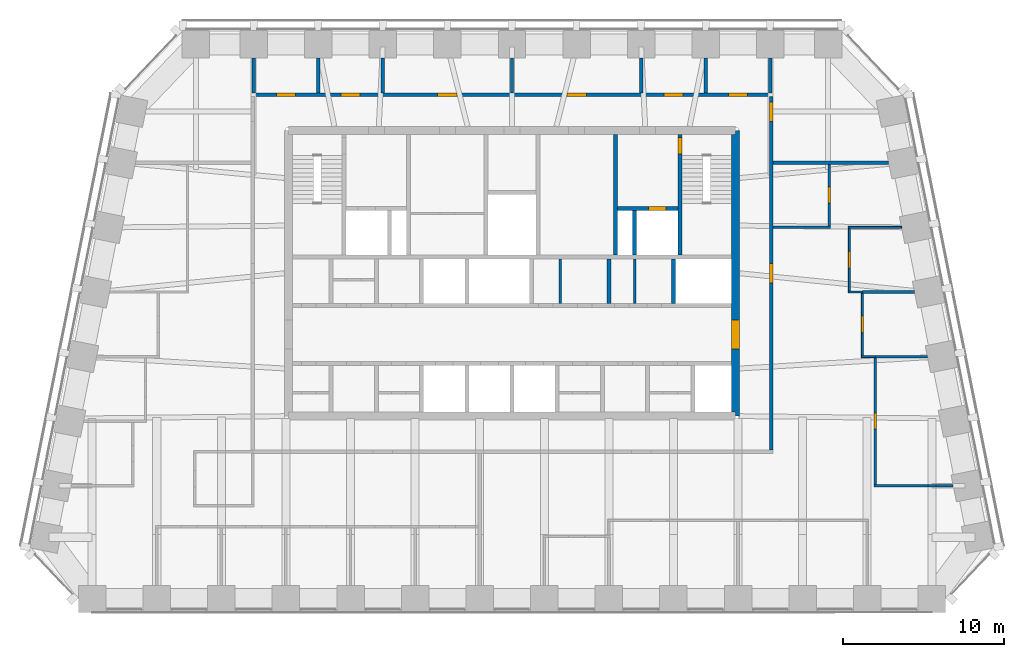
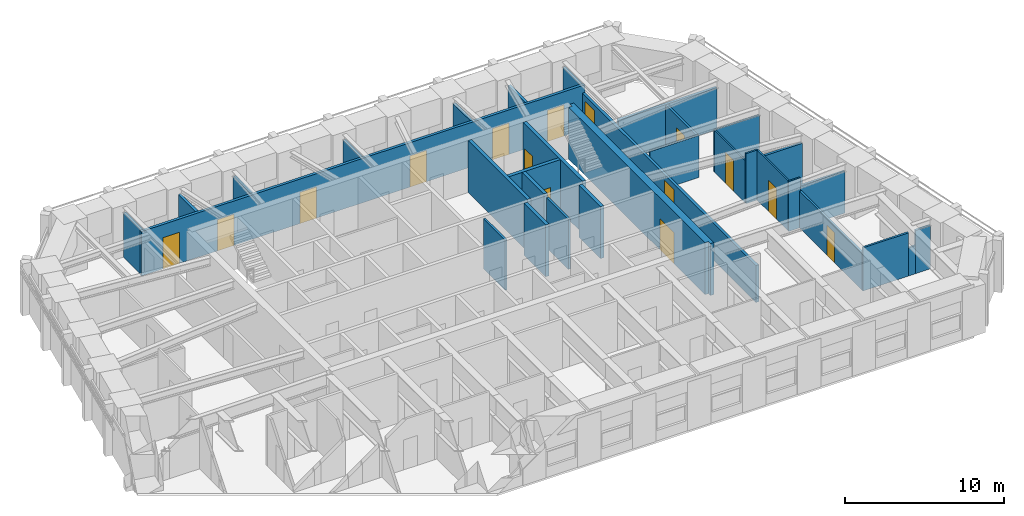
# One storey, part 8 of 12: 32 walls, 15 doors, 15 openings.
"""IFC4 building model written with IfcOpenShell, lengths in metres."""

from ifc_helpers import new_model, si_unit, direction, frame, frame_2d, origin, place, context, subcontext, project, spatial, polyline, rectangle, outline, extrude, material, layer, layer_set, type_object, element, fill, save


model = new_model("IFC4")

# Units and contexts
model_context = context("Model", 3, precision=1e-05, world=origin(), true_north=direction((0.0, 1.0)))
body_context = subcontext(model_context, "Body", "Model", "MODEL_VIEW")
ifc_project = project(units=[si_unit("LENGTHUNIT", "METRE"), si_unit("AREAUNIT", "SQUARE_METRE"), si_unit("VOLUMEUNIT", "CUBIC_METRE"), si_unit("PLANEANGLEUNIT", "RADIAN"), si_unit("MASSUNIT", "GRAM", prefix="KILO")], contexts=[model_context])

# Site, building, storey
site_placement = place(None, origin())
site = spatial("IfcSite", under=ifc_project, at=site_placement, CompositionType="ELEMENT")
building_placement = place(site_placement, origin())
building = spatial("IfcBuilding", under=site, at=building_placement, Name="Isbrekke Arena Tower", CompositionType="ELEMENT")
storey_placement = place(building_placement, frame((0.0, 0.0, 292.0)))
storey = spatial("IfcBuildingStorey", under=building, at=storey_placement, Name="L68", CompositionType="ELEMENT", Elevation=292.0)

# Wall, opening, door
ifc_material_1 = material(Name="Concrete B55 (C55/67)", Category="concrete")
ifc_layer_1 = layer(ifc_material_1, 0.5)
ifc_layer_set_1 = layer_set([ifc_layer_1], Name="CW5 CORE WALL 500")
wall_type_1 = type_object("IfcWallType", Name="CW5 CORE WALL 500", PredefinedType="SHEAR", material=ifc_layer_set_1)
wall_1_placement = place(storey_placement, frame((13.85009765625, 6.14990234375, 0.0), z_axis=(0.0, 0.0, 1.0), x_axis=(0.0, 1.0, 0.0)))
wall_1 = element("IfcWall", 1, at=wall_1_placement, inside=storey, type_object=wall_type_1, Name="Core wall E L68", PredefinedType="SHEAR", context=body_context, shape_type="SweptSolid", body=[
    extrude(outline(polyline([(0.0, -0.25), (17.7001953125, -0.25), (17.7001953125, 0.0), (17.4501953125, 0.0), (17.4501953125, 0.25), (0.25, 0.25), (0.25, 0.0), (0.0, 0.0), (0.0, -0.25)])), origin(), (0.0, 0.0, 1.0), 4.0),
])
opening_1_placement = place(wall_1_placement, frame((4.14990234375, 0.0, 0.0)))
opening_1 = element("IfcOpeningElement", 2, at=opening_1_placement, cuts=wall_1, Name="Opening D1", PredefinedType="OPENING", context=body_context, shape_type="SweptSolid", body=[
    extrude(rectangle(XDim=1.800048828125, YDim=2.39990234375, at=frame_2d((0.89990234375, 1.199951171875))), frame((0.0, 0.264892578125, 0.0), z_axis=(0.0, -1.0, 0.0), x_axis=(1.0, 0.0, 0.0)), (0.0, 0.0, 1.0), 0.52978515625),
])
ifc_material_2 = material(Name="Steel-framed glazed fire door", Category="steel")
door_type_1 = type_object("IfcDoorType", Name="D1 CORE LOBBY DOOR 1800 x 2400", OperationType="DOUBLE_DOOR_SINGLE_SWING", PredefinedType="DOOR", material=ifc_material_2)
door_1_placement = place(opening_1_placement, origin())
door_1 = element("IfcDoor", 3, at=door_1_placement, inside=storey, type_object=door_type_1, Name="D1 lift lobby door east L68", OperationType="DOUBLE_DOOR_SINGLE_SWING", OverallHeight=2.39990234375, OverallWidth=1.800048828125, PredefinedType="DOOR", context=body_context, shape_type="SweptSolid", body=[
    extrude(rectangle(XDim=1.800048828125, YDim=2.39990234375, at=frame_2d((0.89990234375, 1.199951171875))), frame((0.0, 0.249755859375, 0.0), z_axis=(0.0, -1.0, 0.0), x_axis=(1.0, 0.0, 0.0)), (0.0, 0.0, 1.0), 0.49951171875),
])
fill(opening_1, door_1)

# Walls
ifc_material_3 = material(Name="Concrete B45 (C45/55)", Category="concrete")
ifc_layer_2 = layer(ifc_material_3, 0.25)
ifc_layer_set_2 = layer_set([ifc_layer_2], Name="CW6 SHAFT WALL 250")
wall_type_2 = type_object("IfcWallType", Name="CW6 SHAFT WALL 250", PredefinedType="SHEAR", material=ifc_layer_set_2)
for number, where, z_axis, x_axis, name in (
    (4, (6.0, 13.125, 0.0), (0.0, 0.0, 1.0), (0.0, 1.0, 0.0), "Core wall SN06 L68"),
    (5, (10.0, 13.125, 0.0), (0.0, 0.0, 1.0), (0.0, 1.0, 0.0), "Core wall SN07 L68"),
):
    element("IfcWall", number, at=place(storey_placement, frame(where, z_axis=z_axis, x_axis=x_axis)), inside=storey, type_object=wall_type_2, Name=name, PredefinedType="SHEAR", context=body_context, shape_type="SweptSolid", body=[
        extrude(rectangle(XDim=2.75, YDim=0.25, at=frame_2d((1.375, 0.0))), origin(), (0.0, 0.0, 1.0), 4.0),
    ])
wall_2_placement = place(storey_placement, frame((6.39990234375, 16.125, 0.0), z_axis=(0.0, 0.0, 1.0), x_axis=(0.0, 1.0, 0.0)))
element("IfcWall", 6, at=wall_2_placement, inside=storey, type_object=wall_type_2, Name="Core wall NV05 L68", PredefinedType="SHEAR", context=body_context, shape_type="SweptSolid", body=[
    extrude(rectangle(XDim=7.47509765625, YDim=0.25, at=frame_2d((3.737548828125, 0.0))), origin(), (0.0, 0.0, 1.0), 4.0),
])

# Wall, opening, door
wall_3_placement = place(storey_placement, frame((10.39990234375, 16.125, 0.0), z_axis=(0.0, 0.0, 1.0), x_axis=(0.0, 1.0, 0.0)))
wall_3 = element("IfcWall", 7, at=wall_3_placement, inside=storey, type_object=wall_type_2, Name="Core wall NV06 L68", PredefinedType="SHEAR", context=body_context, shape_type="SweptSolid", body=[
    extrude(rectangle(XDim=7.47509765625, YDim=0.25, at=frame_2d((3.737548828125, 0.0))), origin(), (0.0, 0.0, 1.0), 4.0),
])
opening_2_placement = place(wall_3_placement, frame((6.27490234375, 0.0, 0.0)))
opening_2 = element("IfcOpeningElement", 8, at=opening_2_placement, cuts=wall_3, Name="Opening D2", PredefinedType="OPENING", context=body_context, shape_type="SweptSolid", body=[
    extrude(rectangle(XDim=1.0, YDim=2.10009765625, at=frame_2d((0.5, 1.050048828125))), frame((0.0, 0.139892578125, 0.0), z_axis=(0.0, -1.0, 0.0), x_axis=(1.0, 0.0, 0.0)), (0.0, 0.0, 1.0), 0.27978515625),
])
ifc_material_4 = material(Name="Steel fire door", Category="steel")
door_type_2 = type_object("IfcDoorType", Name="D2 STAIR DOOR 1000 x 2100", OperationType="SINGLE_SWING_LEFT", PredefinedType="DOOR", material=ifc_material_4)
door_2_placement = place(opening_2_placement, origin())
door_2 = element("IfcDoor", 9, at=door_2_placement, inside=storey, type_object=door_type_2, Name="D2 stair door ST2 L68", OperationType="SINGLE_SWING_LEFT", OverallHeight=2.10009765625, OverallWidth=1.0, PredefinedType="DOOR", context=body_context, shape_type="SweptSolid", body=[
    extrude(rectangle(XDim=1.0, YDim=2.10009765625, at=frame_2d((0.5, 1.050048828125))), frame((0.0, 0.124755859375, 0.0), z_axis=(0.0, -1.0, 0.0), x_axis=(1.0, 0.0, 0.0)), (0.0, 0.0, 1.0), 0.24951171875),
])
fill(opening_2, door_2)

wall_4_placement = place(storey_placement, frame((6.52490234375, 19.0, 0.0), z_axis=(0.0, 0.0, 1.0), x_axis=(1.0, 0.0, 0.0)))
wall_4 = element("IfcWall", 10, at=wall_4_placement, inside=storey, type_object=wall_type_2, Name="Core wall NFE L68", PredefinedType="SHEAR", context=body_context, shape_type="SweptSolid", body=[
    extrude(rectangle(XDim=3.75, YDim=0.25, at=frame_2d((1.875, 0.0))), origin(), (0.0, 0.0, 1.0), 4.0),
])
opening_3_placement = place(wall_4_placement, frame((1.925048828125, 0.0, 0.0)))
opening_3 = element("IfcOpeningElement", 11, at=opening_3_placement, cuts=wall_4, Name="Opening LD2", PredefinedType="OPENING", context=body_context, shape_type="SweptSolid", body=[
    extrude(rectangle(XDim=1.10009765625, YDim=2.10009765625, at=frame_2d((0.550048828125, 1.050048828125))), frame((0.0, 0.139892578125, 0.0), z_axis=(0.0, -1.0, 0.0), x_axis=(1.0, 0.0, 0.0)), (0.0, 0.0, 1.0), 0.27978515625),
])
ifc_material_5 = material(Name="Stainless steel lift landing door", Category="steel")
door_type_3 = type_object("IfcDoorType", Name="LD2 FIRE-FIGHTING LIFT LANDING DOOR 1100 x 2100", OperationType="SLIDING_TO_RIGHT", PredefinedType="DOOR", material=ifc_material_5)
door_3_placement = place(opening_3_placement, origin())
door_3 = element("IfcDoor", 12, at=door_3_placement, inside=storey, type_object=door_type_3, Name="LD2 lift landing door LF L68", OperationType="SLIDING_TO_RIGHT", OverallHeight=2.10009765625, OverallWidth=1.10009765625, PredefinedType="DOOR", context=body_context, shape_type="SweptSolid", body=[
    extrude(rectangle(XDim=1.10009765625, YDim=2.10009765625, at=frame_2d((0.550048828125, 1.050048828125))), frame((0.0, 0.124755859375, 0.0), z_axis=(0.0, -1.0, 0.0), x_axis=(1.0, 0.0, 0.0)), (0.0, 0.0, 1.0), 0.24951171875),
])
fill(opening_3, door_3)

# Walls
wall_5_placement = place(storey_placement, frame((7.60009765625, 16.125, 0.0), z_axis=(0.0, 0.0, 1.0), x_axis=(0.0, 1.0, 0.0)))
element("IfcWall", 13, at=wall_5_placement, inside=storey, type_object=wall_type_2, Name="Core wall NFS2 L68", PredefinedType="SHEAR", context=body_context, shape_type="SweptSolid", body=[
    extrude(rectangle(XDim=2.75, YDim=0.25, at=frame_2d((1.375, 0.0))), origin(), (0.0, 0.0, 1.0), 4.0),
])
ifc_material_6 = material(Name="Gypsum board partition on steel studs", Category="steel")
ifc_layer_3 = layer(ifc_material_6, 0.14990234375)
ifc_layer_set_3 = layer_set([ifc_layer_3], Name="IW1 PARTITION 150")
wall_type_3 = type_object("IfcWallType", Name="IW1 PARTITION 150", PredefinedType="PARTITIONING", material=ifc_layer_set_3)
wall_6_placement = place(storey_placement, frame((22.425048828125, 1.840087890625, 0.0), z_axis=(0.0, 0.0, 1.0), x_axis=(1.0, 0.0, 0.0)))
element("IfcWall", 14, at=wall_6_placement, inside=storey, type_object=wall_type_3, Name="IW1 partition 150 L68", PredefinedType="PARTITIONING", context=body_context, shape_type="SweptSolid", body=[
    extrude(rectangle(XDim=3.324951171875, YDim=0.14990234375, at=frame_2d((1.66259765625, 0.0))), origin(), (0.0, 0.0, 1.0), 3.325927734375),
])
wall_7_placement = place(storey_placement, frame((25.75, 1.840087890625, 0.0), z_axis=(0.0, 0.0, 1.0), x_axis=(1.0, 0.0, 0.0)))
element("IfcWall", 15, at=wall_7_placement, inside=storey, type_object=wall_type_3, Name="IW1 partition 150 L68", PredefinedType="PARTITIONING", context=body_context, shape_type="SweptSolid", body=[
    extrude(rectangle(XDim=0.5, YDim=0.14990234375, at=frame_2d((0.25, 0.0))), origin(), (0.0, 0.0, 1.0), 2.14990234375),
])
wall_8_placement = place(storey_placement, frame((26.25, 1.840087890625, 0.0), z_axis=(0.0, 0.0, 1.0), x_axis=(1.0, 0.0, 0.0)))
element("IfcWall", 16, at=wall_8_placement, inside=storey, type_object=wall_type_3, Name="IW1 partition 150 L68", PredefinedType="PARTITIONING", context=body_context, shape_type="SweptSolid", body=[
    extrude(rectangle(XDim=1.07373046875, YDim=0.14990234375, at=frame_2d((0.536865234375, 0.0))), origin(), (0.0, 0.0, 1.0), 3.325927734375),
])
wall_9_placement = place(storey_placement, frame((22.5, 9.840087890625, 0.0), z_axis=(0.0, 0.0, 1.0), x_axis=(1.0, 0.0, 0.0)))
element("IfcWall", 17, at=wall_9_placement, inside=storey, type_object=wall_type_3, Name="IW1 partition 150 L68", PredefinedType="PARTITIONING", context=body_context, shape_type="SweptSolid", body=[
    extrude(rectangle(XDim=3.223876953125, YDim=0.14990234375, at=frame_2d((1.61181640625, 0.0))), origin(), (0.0, 0.0, 1.0), 3.22998046875),
])
wall_10_placement = place(storey_placement, frame((16.14990234375, 17.840087890625, 0.0), z_axis=(0.0, 0.0, 1.0), x_axis=(1.0, 0.0, 0.0)))
element("IfcWall", 18, at=wall_10_placement, inside=storey, type_object=wall_type_3, Name="IW1 partition 150 L68", PredefinedType="PARTITIONING", context=body_context, shape_type="SweptSolid", body=[
    extrude(rectangle(XDim=3.5751953125, YDim=0.14990234375, at=frame_2d((1.78759765625, 0.0))), origin(), (0.0, 0.0, 1.0), 3.22998046875),
])

# Wall, opening, door
wall_11_placement = place(storey_placement, frame((19.64990234375, 17.9150390625, 0.0), z_axis=(0.0, 0.0, 1.0), x_axis=(0.0, 1.0, 0.0)))
wall_11 = element("IfcWall", 19, at=wall_11_placement, inside=storey, type_object=wall_type_3, Name="IW1 partition 150 L68", PredefinedType="PARTITIONING", context=body_context, shape_type="SweptSolid", body=[
    extrude(rectangle(XDim=3.824951171875, YDim=0.14990234375, at=frame_2d((1.91259765625, 0.0))), origin(), (0.0, 0.0, 1.0), 3.22998046875),
])
opening_4_placement = place(wall_11_placement, frame((1.425048828125, 0.0, 0.0)))
opening_4 = element("IfcOpeningElement", 20, at=opening_4_placement, cuts=wall_11, Name="Opening D10", PredefinedType="OPENING", context=body_context, shape_type="SweptSolid", body=[
    extrude(rectangle(XDim=1.0, YDim=2.300048828125, at=frame_2d((0.5, 1.14990234375))), frame((0.0, 0.08984375, 0.0), z_axis=(0.0, -1.0, 0.0), x_axis=(1.0, 0.0, 0.0)), (0.0, 0.0, 1.0), 0.1796875),
])
ifc_material_7 = material(Name="Timber door", Category="wood")
door_type_4 = type_object("IfcDoorType", Name="D10 OFFICE DOOR 1000 x 2300", OperationType="SINGLE_SWING_LEFT", PredefinedType="DOOR", material=ifc_material_7)
door_4_placement = place(opening_4_placement, origin())
door_4 = element("IfcDoor", 21, at=door_4_placement, inside=storey, type_object=door_type_4, Name="D10 tea point door L68", OperationType="SINGLE_SWING_LEFT", OverallHeight=2.300048828125, OverallWidth=1.0, PredefinedType="DOOR", context=body_context, shape_type="SweptSolid", body=[
    extrude(rectangle(XDim=1.0, YDim=2.300048828125, at=frame_2d((0.5, 1.14990234375))), frame((0.0, 0.07470703125, 0.0), z_axis=(0.0, -1.0, 0.0), x_axis=(1.0, 0.0, 0.0)), (0.0, 0.0, 1.0), 0.1494140625),
])
fill(opening_4, door_4)

wall_12_placement = place(storey_placement, frame((22.5, 1.9150390625, 0.0), z_axis=(0.0, 0.0, 1.0), x_axis=(0.0, 1.0, 0.0)))
wall_12 = element("IfcWall", 22, at=wall_12_placement, inside=storey, type_object=wall_type_3, Name="IW1 partition 150 L68", PredefinedType="PARTITIONING", context=body_context, shape_type="SweptSolid", body=[
    extrude(rectangle(XDim=7.849853515625, YDim=0.14990234375, at=frame_2d((3.9248046875, 0.0))), origin(), (0.0, 0.0, 1.0), 2.842041015625),
])
opening_5_placement = place(wall_12_placement, frame((3.425048828125, 0.0, 0.0)))
opening_5 = element("IfcOpeningElement", 23, at=opening_5_placement, cuts=wall_12, Name="Opening D10", PredefinedType="OPENING", context=body_context, shape_type="SweptSolid", body=[
    extrude(rectangle(XDim=1.0, YDim=2.300048828125, at=frame_2d((0.5, 1.14990234375))), frame((0.0, 0.08984375, 0.0), z_axis=(0.0, -1.0, 0.0), x_axis=(1.0, 0.0, 0.0)), (0.0, 0.0, 1.0), 0.1796875),
])
door_5_placement = place(opening_5_placement, origin())
door_5 = element("IfcDoor", 24, at=door_5_placement, inside=storey, type_object=door_type_4, Name="D10 model workshop door L68", OperationType="SINGLE_SWING_LEFT", OverallHeight=2.300048828125, OverallWidth=1.0, PredefinedType="DOOR", context=body_context, shape_type="SweptSolid", body=[
    extrude(rectangle(XDim=1.0, YDim=2.300048828125, at=frame_2d((0.5, 1.14990234375))), frame((0.0, 0.07470703125, 0.0), z_axis=(0.0, -1.0, 0.0), x_axis=(1.0, 0.0, 0.0)), (0.0, 0.0, 1.0), 0.1494140625),
])
fill(opening_5, door_5)

# Walls
ifc_material_8 = material(Name="Frameless glazed partition, laminated acoustic glass", Category="glass")
ifc_layer_4 = layer(ifc_material_8, 0.1201171875)
ifc_layer_set_4 = layer_set([ifc_layer_4], Name="IW2 GLAZED PARTITION 120")
wall_type_4 = type_object("IfcWallType", Name="IW2 GLAZED PARTITION 120", PredefinedType="PARTITIONING", material=ifc_layer_set_4)
wall_13_placement = place(storey_placement, frame((21.639892578125, 9.840087890625, 0.0), z_axis=(0.0, 0.0, 1.0), x_axis=(1.0, 0.0, 0.0)))
element("IfcWall", 25, at=wall_13_placement, inside=storey, type_object=wall_type_4, Name="IW2 glazed partition 120 L68", PredefinedType="PARTITIONING", context=body_context, shape_type="SweptSolid", body=[
    extrude(rectangle(XDim=0.860107421875, YDim=0.1201171875, at=frame_2d((0.43017578125, 0.0))), origin(), (0.0, 0.0, 1.0), 3.85009765625),
])
wall_14_placement = place(storey_placement, frame((20.840087890625, 13.840087890625, 0.0), z_axis=(0.0, 0.0, 1.0), x_axis=(1.0, 0.0, 0.0)))
element("IfcWall", 26, at=wall_14_placement, inside=storey, type_object=wall_type_4, Name="IW2 glazed partition 120 L68", PredefinedType="PARTITIONING", context=body_context, shape_type="SweptSolid", body=[
    extrude(rectangle(XDim=0.85986328125, YDim=0.1201171875, at=frame_2d((0.429931640625, 0.0))), origin(), (0.0, 0.0, 1.0), 3.85009765625),
])
wall_15_placement = place(storey_placement, frame((20.840087890625, 17.840087890625, 0.0), z_axis=(0.0, 0.0, 1.0), x_axis=(1.0, 0.0, 0.0)))
element("IfcWall", 27, at=wall_15_placement, inside=storey, type_object=wall_type_4, Name="IW2 glazed partition 120 L68", PredefinedType="PARTITIONING", context=body_context, shape_type="SweptSolid", body=[
    extrude(rectangle(XDim=3.28369140625, YDim=0.1201171875, at=frame_2d((1.641845703125, 0.0))), origin(), (0.0, 0.0, 1.0), 3.22998046875),
])

# Wall, opening, door
wall_16_placement = place(storey_placement, frame((20.89990234375, 13.89990234375, 0.0), z_axis=(0.0, 0.0, 1.0), x_axis=(0.0, 1.0, 0.0)))
wall_16 = element("IfcWall", 28, at=wall_16_placement, inside=storey, type_object=wall_type_4, Name="IW2 glazed partition 120 L68", PredefinedType="PARTITIONING", context=body_context, shape_type="SweptSolid", body=[
    extrude(rectangle(XDim=3.880126953125, YDim=0.1201171875, at=frame_2d((1.93994140625, 0.0))), origin(), (0.0, 0.0, 1.0), 3.22998046875),
])
opening_6_placement = place(wall_16_placement, frame((1.43994140625, 0.0, 0.0)))
opening_6 = element("IfcOpeningElement", 29, at=opening_6_placement, cuts=wall_16, Name="Opening D11", PredefinedType="OPENING", context=body_context, shape_type="SweptSolid", body=[
    extrude(rectangle(XDim=1.0, YDim=2.39990234375, at=frame_2d((0.5, 1.199951171875))), frame((0.0, 0.074951171875, 0.0), z_axis=(0.0, -1.0, 0.0), x_axis=(1.0, 0.0, 0.0)), (0.0, 0.0, 1.0), 0.14990234375),
])
ifc_material_9 = material(Name="Frameless glazed door", Category="glass")
door_type_5 = type_object("IfcDoorType", Name="D11 GLAZED MEETING ROOM DOOR 1000 x 2400", OperationType="SINGLE_SWING_RIGHT", PredefinedType="DOOR", material=ifc_material_9)
door_6_placement = place(opening_6_placement, origin())
door_6 = element("IfcDoor", 30, at=door_6_placement, inside=storey, type_object=door_type_5, Name="D11 meeting room door L68", OperationType="SINGLE_SWING_RIGHT", OverallHeight=2.39990234375, OverallWidth=1.0, PredefinedType="DOOR", context=body_context, shape_type="SweptSolid", body=[
    extrude(rectangle(XDim=1.0, YDim=2.39990234375, at=frame_2d((0.5, 1.199951171875))), frame((0.0, 0.059814453125, 0.0), z_axis=(0.0, -1.0, 0.0), x_axis=(1.0, 0.0, 0.0)), (0.0, 0.0, 1.0), 0.11962890625),
])
fill(opening_6, door_6)

wall_17_placement = place(storey_placement, frame((21.699951171875, 9.89990234375, 0.0), z_axis=(0.0, 0.0, 1.0), x_axis=(0.0, 1.0, 0.0)))
wall_17 = element("IfcWall", 31, at=wall_17_placement, inside=storey, type_object=wall_type_4, Name="IW2 glazed partition 120 L68", PredefinedType="PARTITIONING", context=body_context, shape_type="SweptSolid", body=[
    extrude(rectangle(XDim=3.8525390625, YDim=0.1201171875, at=frame_2d((1.92626953125, 0.0))), origin(), (0.0, 0.0, 1.0), 3.85009765625),
])
opening_7_placement = place(wall_17_placement, frame((1.43994140625, 0.0, 0.0)))
opening_7 = element("IfcOpeningElement", 32, at=opening_7_placement, cuts=wall_17, Name="Opening D11", PredefinedType="OPENING", context=body_context, shape_type="SweptSolid", body=[
    extrude(rectangle(XDim=1.0, YDim=2.39990234375, at=frame_2d((0.5, 1.199951171875))), frame((0.0, 0.074951171875, 0.0), z_axis=(0.0, -1.0, 0.0), x_axis=(1.0, 0.0, 0.0)), (0.0, 0.0, 1.0), 0.14990234375),
])
door_7_placement = place(opening_7_placement, origin())
door_7 = element("IfcDoor", 33, at=door_7_placement, inside=storey, type_object=door_type_5, Name="D11 meeting room door L68", OperationType="SINGLE_SWING_RIGHT", OverallHeight=2.39990234375, OverallWidth=1.0, PredefinedType="DOOR", context=body_context, shape_type="SweptSolid", body=[
    extrude(rectangle(XDim=1.0, YDim=2.39990234375, at=frame_2d((0.5, 1.199951171875))), frame((0.0, 0.059814453125, 0.0), z_axis=(0.0, -1.0, 0.0), x_axis=(1.0, 0.0, 0.0)), (0.0, 0.0, 1.0), 0.11962890625),
])
fill(opening_7, door_7)

# Wall
ifc_material_10 = material(Name="Gypsum board fire-cell wall on steel studs, two layers each side", Category="steel")
ifc_layer_5 = layer(ifc_material_10, 0.199951171875)
ifc_layer_set_5 = layer_set([ifc_layer_5], Name="IW3 FIRE-CELL WALL 200")
wall_type_5 = type_object("IfcWallType", Name="IW3 FIRE-CELL WALL 200", PredefinedType="PARTITIONING", material=ifc_layer_set_5)
wall_18_placement = place(storey_placement, frame((16.14990234375, 21.840087890625, 0.0), z_axis=(0.0, 0.0, 1.0), x_axis=(1.0, 0.0, 0.0)))
element("IfcWall", 34, at=wall_18_placement, inside=storey, type_object=wall_type_5, Name="IW3 fire-cell wall 200 L68", PredefinedType="PARTITIONING", context=body_context, shape_type="SweptSolid", body=[
    extrude(rectangle(XDim=7.173828125, YDim=0.199951171875, at=frame_2d((3.5869140625, 0.0))), origin(), (0.0, 0.0, 1.0), 3.22998046875),
])

# Wall, openings, doors
wall_19_placement = place(storey_placement, frame((-16.14990234375, 26.050048828125, 0.0), z_axis=(0.0, 0.0, 1.0), x_axis=(1.0, 0.0, 0.0)))
wall_19 = element("IfcWall", 35, at=wall_19_placement, inside=storey, type_object=wall_type_5, Name="IW3 fire-cell wall 200 L68", PredefinedType="PARTITIONING", context=body_context, shape_type="SweptSolid", body=[
    extrude(rectangle(XDim=32.2998046875, YDim=0.199951171875, at=frame_2d((16.14990234375, 0.0))), origin(), (0.0, 0.0, 1.0), 3.41796875),
])
opening_8_placement = place(wall_19_placement, frame((1.550048828125, 0.0, 0.0)))
opening_8 = element("IfcOpeningElement", 36, at=opening_8_placement, cuts=wall_19, Name="Opening D12", PredefinedType="OPENING", context=body_context, shape_type="SweptSolid", body=[
    extrude(rectangle(XDim=1.199951171875, YDim=2.39990234375, at=frame_2d((0.60009765625, 1.199951171875))), frame((0.0, 0.11474609375, 0.0), z_axis=(0.0, -1.0, 0.0), x_axis=(1.0, 0.0, 0.0)), (0.0, 0.0, 1.0), 0.229736328125),
])
opening_9_placement = place(wall_19_placement, frame((5.550048828125, 0.0, 0.0)))
opening_9 = element("IfcOpeningElement", 37, at=opening_9_placement, cuts=wall_19, Name="Opening D12", PredefinedType="OPENING", context=body_context, shape_type="SweptSolid", body=[
    extrude(rectangle(XDim=1.199951171875, YDim=2.39990234375, at=frame_2d((0.60009765625, 1.199951171875))), frame((0.0, 0.11474609375, 0.0), z_axis=(0.0, -1.0, 0.0), x_axis=(1.0, 0.0, 0.0)), (0.0, 0.0, 1.0), 0.229736328125),
])
opening_10_placement = place(wall_19_placement, frame((11.550048828125, 0.0, 0.0)))
opening_10 = element("IfcOpeningElement", 38, at=opening_10_placement, cuts=wall_19, Name="Opening D12", PredefinedType="OPENING", context=body_context, shape_type="SweptSolid", body=[
    extrude(rectangle(XDim=1.199951171875, YDim=2.39990234375, at=frame_2d((0.60009765625, 1.199951171875))), frame((0.0, 0.11474609375, 0.0), z_axis=(0.0, -1.0, 0.0), x_axis=(1.0, 0.0, 0.0)), (0.0, 0.0, 1.0), 0.229736328125),
])
opening_11_placement = place(wall_19_placement, frame((19.550048828125, 0.0, 0.0)))
opening_11 = element("IfcOpeningElement", 39, at=opening_11_placement, cuts=wall_19, Name="Opening D12", PredefinedType="OPENING", context=body_context, shape_type="SweptSolid", body=[
    extrude(rectangle(XDim=1.199951171875, YDim=2.39990234375, at=frame_2d((0.60009765625, 1.199951171875))), frame((0.0, 0.11474609375, 0.0), z_axis=(0.0, -1.0, 0.0), x_axis=(1.0, 0.0, 0.0)), (0.0, 0.0, 1.0), 0.229736328125),
])
opening_12_placement = place(wall_19_placement, frame((25.550048828125, 0.0, 0.0)))
opening_12 = element("IfcOpeningElement", 40, at=opening_12_placement, cuts=wall_19, Name="Opening D12", PredefinedType="OPENING", context=body_context, shape_type="SweptSolid", body=[
    extrude(rectangle(XDim=1.199951171875, YDim=2.39990234375, at=frame_2d((0.60009765625, 1.199951171875))), frame((0.0, 0.11474609375, 0.0), z_axis=(0.0, -1.0, 0.0), x_axis=(1.0, 0.0, 0.0)), (0.0, 0.0, 1.0), 0.229736328125),
])
opening_13_placement = place(wall_19_placement, frame((29.550048828125, 0.0, 0.0)))
opening_13 = element("IfcOpeningElement", 41, at=opening_13_placement, cuts=wall_19, Name="Opening D12", PredefinedType="OPENING", context=body_context, shape_type="SweptSolid", body=[
    extrude(rectangle(XDim=1.199951171875, YDim=2.39990234375, at=frame_2d((0.60009765625, 1.199951171875))), frame((0.0, 0.11474609375, 0.0), z_axis=(0.0, -1.0, 0.0), x_axis=(1.0, 0.0, 0.0)), (0.0, 0.0, 1.0), 0.229736328125),
])
ifc_material_11 = material(Name="Timber fire door with vision panel", Category="wood")
door_type_6 = type_object("IfcDoorType", Name="D12 SUITE ENTRANCE DOOR 1200 x 2400", OperationType="SINGLE_SWING_LEFT", PredefinedType="DOOR", material=ifc_material_11)
door_8_placement = place(opening_8_placement, origin())
door_8 = element("IfcDoor", 42, at=door_8_placement, inside=storey, type_object=door_type_6, Name="D12 suite entrance NB1 door L68", OperationType="SINGLE_SWING_LEFT", OverallHeight=2.39990234375, OverallWidth=1.199951171875, PredefinedType="DOOR", context=body_context, shape_type="SweptSolid", body=[
    extrude(rectangle(XDim=1.199951171875, YDim=2.39990234375, at=frame_2d((0.60009765625, 1.199951171875))), frame((0.0, 0.099609375, 0.0), z_axis=(0.0, -1.0, 0.0), x_axis=(1.0, 0.0, 0.0)), (0.0, 0.0, 1.0), 0.199462890625),
])
fill(opening_8, door_8)
door_9_placement = place(opening_9_placement, origin())
door_9 = element("IfcDoor", 43, at=door_9_placement, inside=storey, type_object=door_type_6, Name="D12 suite entrance NB2 door L68", OperationType="SINGLE_SWING_LEFT", OverallHeight=2.39990234375, OverallWidth=1.199951171875, PredefinedType="DOOR", context=body_context, shape_type="SweptSolid", body=[
    extrude(rectangle(XDim=1.199951171875, YDim=2.39990234375, at=frame_2d((0.60009765625, 1.199951171875))), frame((0.0, 0.099609375, 0.0), z_axis=(0.0, -1.0, 0.0), x_axis=(1.0, 0.0, 0.0)), (0.0, 0.0, 1.0), 0.199462890625),
])
fill(opening_9, door_9)
door_10_placement = place(opening_10_placement, origin())
door_10 = element("IfcDoor", 44, at=door_10_placement, inside=storey, type_object=door_type_6, Name="D12 suite entrance NB3 door L68", OperationType="SINGLE_SWING_LEFT", OverallHeight=2.39990234375, OverallWidth=1.199951171875, PredefinedType="DOOR", context=body_context, shape_type="SweptSolid", body=[
    extrude(rectangle(XDim=1.199951171875, YDim=2.39990234375, at=frame_2d((0.60009765625, 1.199951171875))), frame((0.0, 0.099609375, 0.0), z_axis=(0.0, -1.0, 0.0), x_axis=(1.0, 0.0, 0.0)), (0.0, 0.0, 1.0), 0.199462890625),
])
fill(opening_10, door_10)
door_11_placement = place(opening_11_placement, origin())
door_11 = element("IfcDoor", 45, at=door_11_placement, inside=storey, type_object=door_type_6, Name="D12 suite entrance NB4 door L68", OperationType="SINGLE_SWING_LEFT", OverallHeight=2.39990234375, OverallWidth=1.199951171875, PredefinedType="DOOR", context=body_context, shape_type="SweptSolid", body=[
    extrude(rectangle(XDim=1.199951171875, YDim=2.39990234375, at=frame_2d((0.60009765625, 1.199951171875))), frame((0.0, 0.099609375, 0.0), z_axis=(0.0, -1.0, 0.0), x_axis=(1.0, 0.0, 0.0)), (0.0, 0.0, 1.0), 0.199462890625),
])
fill(opening_11, door_11)
door_12_placement = place(opening_12_placement, origin())
door_12 = element("IfcDoor", 46, at=door_12_placement, inside=storey, type_object=door_type_6, Name="D12 suite entrance NB5 door L68", OperationType="SINGLE_SWING_LEFT", OverallHeight=2.39990234375, OverallWidth=1.199951171875, PredefinedType="DOOR", context=body_context, shape_type="SweptSolid", body=[
    extrude(rectangle(XDim=1.199951171875, YDim=2.39990234375, at=frame_2d((0.60009765625, 1.199951171875))), frame((0.0, 0.099609375, 0.0), z_axis=(0.0, -1.0, 0.0), x_axis=(1.0, 0.0, 0.0)), (0.0, 0.0, 1.0), 0.199462890625),
])
fill(opening_12, door_12)
door_13_placement = place(opening_13_placement, origin())
door_13 = element("IfcDoor", 47, at=door_13_placement, inside=storey, type_object=door_type_6, Name="D12 suite entrance NB6 door L68", OperationType="SINGLE_SWING_LEFT", OverallHeight=2.39990234375, OverallWidth=1.199951171875, PredefinedType="DOOR", context=body_context, shape_type="SweptSolid", body=[
    extrude(rectangle(XDim=1.199951171875, YDim=2.39990234375, at=frame_2d((0.60009765625, 1.199951171875))), frame((0.0, 0.099609375, 0.0), z_axis=(0.0, -1.0, 0.0), x_axis=(1.0, 0.0, 0.0)), (0.0, 0.0, 1.0), 0.199462890625),
])
fill(opening_13, door_13)

# Walls
for number, where, z_axis, x_axis, name in (
    (48, (-16.0, 26.14990234375, 0.0), (0.0, 0.0, 1.0), (0.0, 1.0, 0.0), "IW3 fire-cell wall 200 L68"),
    (49, (-12.0, 26.14990234375, 0.0), (0.0, 0.0, 1.0), (0.0, 1.0, 0.0), "IW3 fire-cell wall 200 L68"),
    (50, (-8.0, 26.14990234375, 0.0), (0.0, 0.0, 1.0), (0.0, 1.0, 0.0), "IW3 fire-cell wall 200 L68"),
    (51, (0.0, 26.14990234375, 0.0), (0.0, 0.0, 1.0), (0.0, 1.0, 0.0), "IW3 fire-cell wall 200 L68"),
    (52, (8.0, 26.14990234375, 0.0), (0.0, 0.0, 1.0), (0.0, 1.0, 0.0), "IW3 fire-cell wall 200 L68"),
    (53, (12.0, 26.14990234375, 0.0), (0.0, 0.0, 1.0), (0.0, 1.0, 0.0), "IW3 fire-cell wall 200 L68"),
    (54, (16.0, 26.14990234375, 0.0), (0.0, 0.0, 1.0), (0.0, 1.0, 0.0), "IW3 fire-cell wall 200 L68"),
):
    element("IfcWall", number, at=place(storey_placement, frame(where, z_axis=z_axis, x_axis=x_axis)), inside=storey, type_object=wall_type_5, Name=name, PredefinedType="PARTITIONING", context=body_context, shape_type="SweptSolid", body=[
        extrude(rectangle(XDim=2.175048828125, YDim=0.199951171875, at=frame_2d((1.08740234375, 0.0))), origin(), (0.0, 0.0, 1.0), 3.41796875),
    ])

# Wall, openings, doors
wall_20_placement = place(storey_placement, frame((16.050048828125, 4.050048828125, 0.0), z_axis=(0.0, 0.0, 1.0), x_axis=(0.0, 1.0, 0.0)))
wall_20 = element("IfcWall", 55, at=wall_20_placement, inside=storey, type_object=wall_type_5, Name="IW3 fire-cell wall 200 L68", PredefinedType="PARTITIONING", context=body_context, shape_type="SweptSolid", body=[
    extrude(rectangle(XDim=21.89990234375, YDim=0.199951171875, at=frame_2d((10.949951171875, 0.0))), origin(), (0.0, 0.0, 1.0), 2.842041015625),
])
opening_14_placement = place(wall_20_placement, frame((20.35009765625, 0.0, 0.0)))
opening_14 = element("IfcOpeningElement", 56, at=opening_14_placement, cuts=wall_20, Name="Opening D12", PredefinedType="OPENING", context=body_context, shape_type="SweptSolid", body=[
    extrude(rectangle(XDim=1.199951171875, YDim=2.39990234375, at=frame_2d((0.60009765625, 1.199951171875))), frame((0.0, 0.11474609375, 0.0), z_axis=(0.0, -1.0, 0.0), x_axis=(1.0, 0.0, 0.0)), (0.0, 0.0, 1.0), 0.229736328125),
])
opening_15_placement = place(wall_20_placement, frame((10.35009765625, 0.0, 0.0)))
opening_15 = element("IfcOpeningElement", 57, at=opening_15_placement, cuts=wall_20, Name="Opening D12", PredefinedType="OPENING", context=body_context, shape_type="SweptSolid", body=[
    extrude(rectangle(XDim=1.199951171875, YDim=2.39990234375, at=frame_2d((0.60009765625, 1.199951171875))), frame((0.0, 0.11474609375, 0.0), z_axis=(0.0, -1.0, 0.0), x_axis=(1.0, 0.0, 0.0)), (0.0, 0.0, 1.0), 0.229736328125),
])
door_14_placement = place(opening_14_placement, origin())
door_14 = element("IfcDoor", 58, at=door_14_placement, inside=storey, type_object=door_type_6, Name="D12 suite entrance NCE door L68", OperationType="SINGLE_SWING_LEFT", OverallHeight=2.39990234375, OverallWidth=1.199951171875, PredefinedType="DOOR", context=body_context, shape_type="SweptSolid", body=[
    extrude(rectangle(XDim=1.199951171875, YDim=2.39990234375, at=frame_2d((0.60009765625, 1.199951171875))), frame((0.0, 0.099609375, 0.0), z_axis=(0.0, -1.0, 0.0), x_axis=(1.0, 0.0, 0.0)), (0.0, 0.0, 1.0), 0.199462890625),
])
fill(opening_14, door_14)
door_15_placement = place(opening_15_placement, origin())
door_15 = element("IfcDoor", 59, at=door_15_placement, inside=storey, type_object=door_type_6, Name="D12 suite entrance E door L68", OperationType="SINGLE_SWING_LEFT", OverallHeight=2.39990234375, OverallWidth=1.199951171875, PredefinedType="DOOR", context=body_context, shape_type="SweptSolid", body=[
    extrude(rectangle(XDim=1.199951171875, YDim=2.39990234375, at=frame_2d((0.60009765625, 1.199951171875))), frame((0.0, 0.099609375, 0.0), z_axis=(0.0, -1.0, 0.0), x_axis=(1.0, 0.0, 0.0)), (0.0, 0.0, 1.0), 0.199462890625),
])
fill(opening_15, door_15)

# Walls
ifc_material_12 = material(Name="Gypsum board acoustic partition on twin steel studs", Category="steel")
ifc_layer_6 = layer(ifc_material_12, 0.175048828125)
ifc_layer_set_6 = layer_set([ifc_layer_6], Name="IW4 ACOUSTIC PARTITION 175")
wall_type_6 = type_object("IfcWallType", Name="IW4 ACOUSTIC PARTITION 175", PredefinedType="PARTITIONING", material=ifc_layer_set_6)
wall_21_placement = place(storey_placement, frame((21.699951171875, 13.840087890625, 0.0), z_axis=(0.0, 0.0, 1.0), x_axis=(1.0, 0.0, 0.0)))
element("IfcWall", 60, at=wall_21_placement, inside=storey, type_object=wall_type_6, Name="IW4 acoustic partition 175 L68", PredefinedType="PARTITIONING", context=body_context, shape_type="SweptSolid", body=[
    extrude(rectangle(XDim=3.223876953125, YDim=0.175048828125, at=frame_2d((1.61181640625, 0.0))), origin(), (0.0, 0.0, 1.0), 3.22998046875),
])
ifc_material_13 = material(Name="Gypsum board fire-rated partition on steel studs, two layers each side", Category="steel")
ifc_layer_7 = layer(ifc_material_13, 0.14990234375)
ifc_layer_set_7 = layer_set([ifc_layer_7], Name="IW5 FIRE-RATED PARTITION 150")
wall_type_7 = type_object("IfcWallType", Name="IW5 FIRE-RATED PARTITION 150", PredefinedType="PARTITIONING", material=ifc_layer_set_7)
for number, where, z_axis, x_axis, name in (
    (61, (3.0, 13.125, 0.0), (0.0, 0.0, 1.0), (0.0, 1.0, 0.0), "IW5 fire-rated partition L68 core service rooms 1"),
    (62, (7.60009765625, 13.125, 0.0), (0.0, 0.0, 1.0), (0.0, 1.0, 0.0), "IW5 fire-rated partition L68 core service rooms 2"),
):
    element("IfcWall", number, at=place(storey_placement, frame(where, z_axis=z_axis, x_axis=x_axis)), inside=storey, type_object=wall_type_7, Name=name, PredefinedType="PARTITIONING", context=body_context, shape_type="SweptSolid", body=[
        extrude(rectangle(XDim=2.75, YDim=0.14990234375, at=frame_2d((1.375, 0.0))), origin(), (0.0, 0.0, 1.0), 3.85009765625),
    ])

save(model, "model.ifc")
